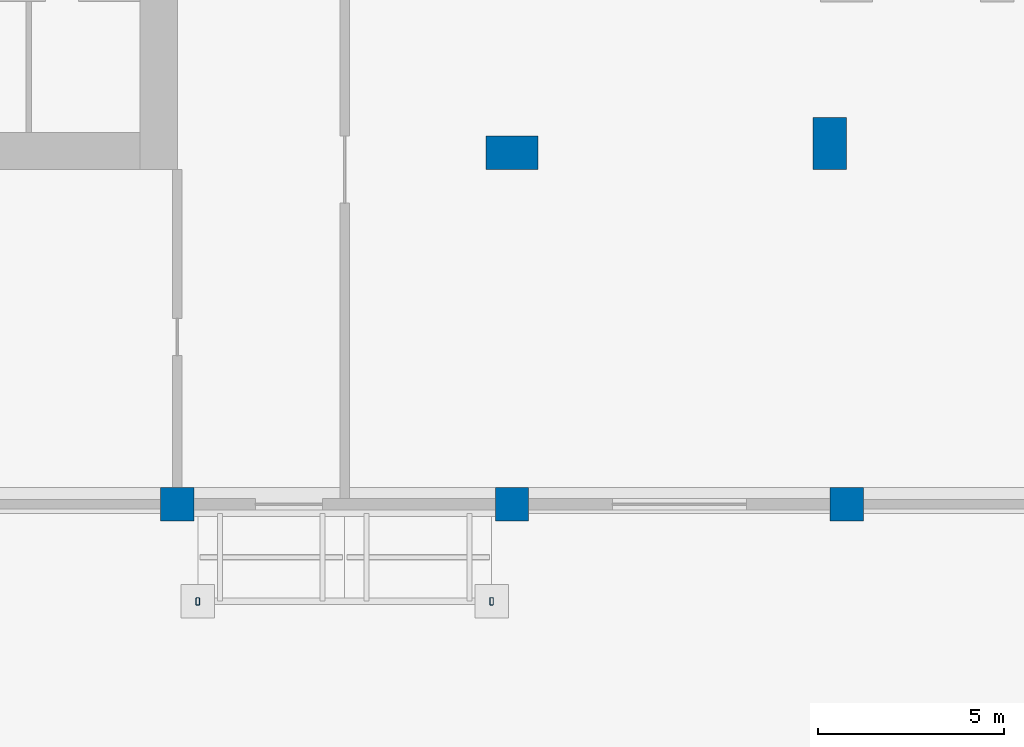
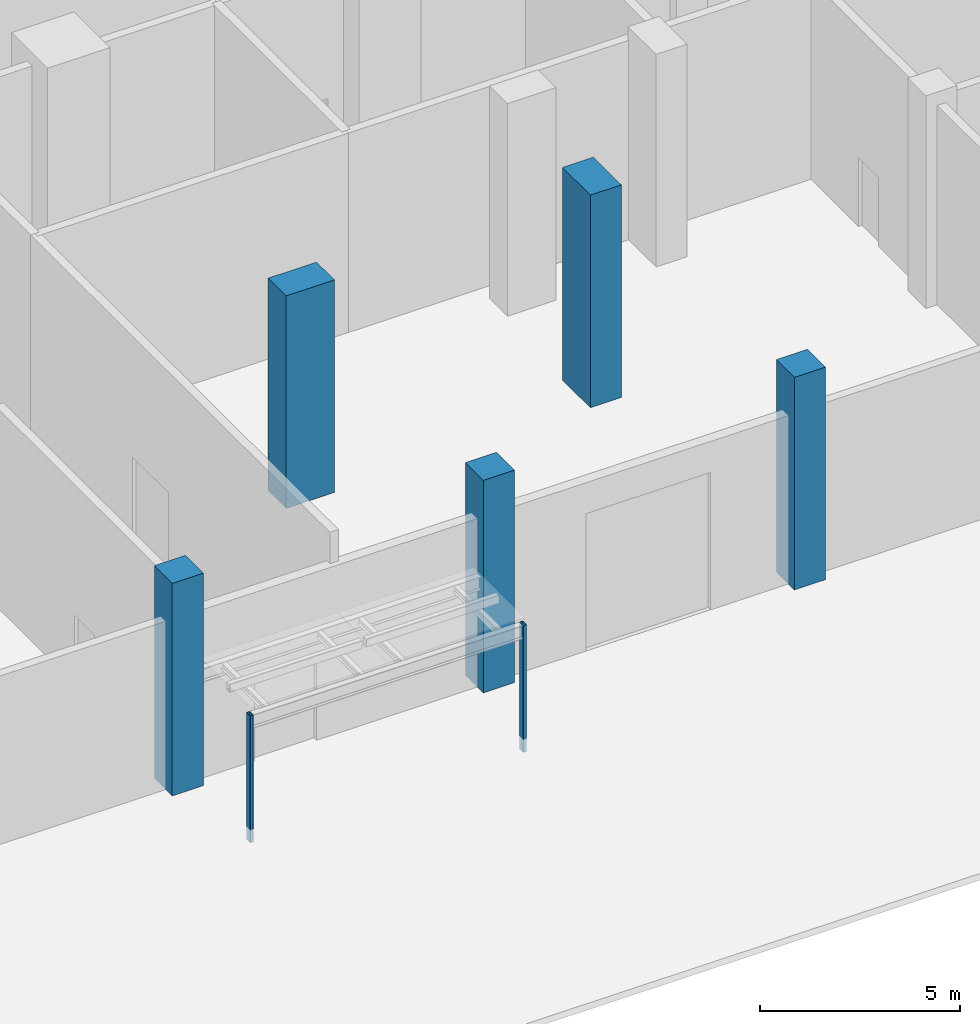
# One storey, part 10 of 39: 7 columns.
"""IFC4 building model written with IfcOpenShell, lengths in metres."""

from ifc_helpers import new_model, si_unit, direction, frame, origin, origin_2d, place, context, subcontext, project, spatial, rectangle, hollow_rectangle, extrude, material, material_profile, profile_set, type_object, element, save


model = new_model("IFC4")

# Units and contexts
model_context = context("Model", 3, precision=1e-05, world=origin(), true_north=direction((0.0, 1.0)))
body_context = subcontext(model_context, "Body", "Model", "MODEL_VIEW")
ifc_project = project(units=[si_unit("LENGTHUNIT", "METRE"), si_unit("AREAUNIT", "SQUARE_METRE"), si_unit("VOLUMEUNIT", "CUBIC_METRE"), si_unit("PLANEANGLEUNIT", "RADIAN"), si_unit("MASSUNIT", "GRAM", prefix="KILO")], contexts=[model_context])

# Site, building, storey
site_placement = place(None, origin())
site = spatial("IfcSite", under=ifc_project, at=site_placement, CompositionType="ELEMENT")
building_placement = place(site_placement, origin())
building = spatial("IfcBuilding", under=site, at=building_placement, Name="Brigalow Station Residences", CompositionType="ELEMENT")
storey_placement = place(building_placement, origin())
storey = spatial("IfcBuildingStorey", under=building, at=storey_placement, Name="L00", CompositionType="ELEMENT", Elevation=0.0)

# Columns
ifc_material_1 = material(Name="Steel Grade C450L0 to AS/NZS 1163", Category="steel")
ifc_material_profile_1 = material_profile(ifc_material_1, hollow_rectangle(XDim=0.10009765625, YDim=0.199951171875, WallThickness=0.009033203125, InnerFilletRadius=0.013427734375, OuterFilletRadius=0.0224609375, at=origin_2d()), Name="200x100x9.0RHS")
ifc_profile_set_1 = profile_set([ifc_material_profile_1], Name="Steel Grade C450L0 to AS/NZS 1163")
column_type_1 = type_object("IfcColumnType", Name="CANOPY POST 200x100x9.0RHS", PredefinedType="COLUMN", material=ifc_profile_set_1)
for number, where, z_axis, x_axis, name in (
    (1, (54.550048828125, -11.611083984375, -0.39990234375), (0.0, 0.0, 1.0), (1.0, 0.0, 0.0), "L00/canopy-post/S-svc-1"),
    (2, (62.449951171875, -11.611083984375, -0.39990234375), (0.0, 0.0, 1.0), (1.0, 0.0, 0.0), "L00/canopy-post/S-svc-2"),
):
    element("IfcColumn", number, at=place(storey_placement, frame(where, z_axis=z_axis, x_axis=x_axis)), inside=storey, type_object=column_type_1, Name=name, PredefinedType="COLUMN", context=body_context, shape_type="SweptSolid", body=[
        extrude(hollow_rectangle(XDim=0.10009765625, YDim=0.199951171875, WallThickness=0.009033203125, InnerFilletRadius=0.013427734375, OuterFilletRadius=0.0224609375, at=origin_2d()), origin(), (0.0, 0.0, 1.0), 3.8779296875),
    ])
ifc_material_2 = material(Name="Concrete C50", Category="concrete")
ifc_material_profile_2 = material_profile(ifc_material_2, rectangle(XDim=0.89990234375, YDim=0.89990234375, at=origin_2d()), Name="RC900x900")
ifc_profile_set_2 = profile_set([ifc_material_profile_2], Name="Concrete C50")
column_type_2 = type_object("IfcColumnType", Name="COLUMN 900x900 C50", PredefinedType="COLUMN", material=ifc_profile_set_2)
for number, where, z_axis, x_axis, name in (
    (3, (54.0, -9.0, 0.0), (0.0, 0.0, 1.0), (1.0, 0.0, 0.0), "COLUMN Z6 L00"),
    (4, (63.0, -9.0, 0.0), (0.0, 0.0, 1.0), (1.0, 0.0, 0.0), "COLUMN Z7 L00"),
    (5, (72.0, -9.0, 0.0), (0.0, 0.0, 1.0), (1.0, 0.0, 0.0), "COLUMN Z8 L00"),
):
    element("IfcColumn", number, at=place(storey_placement, frame(where, z_axis=z_axis, x_axis=x_axis)), inside=storey, type_object=column_type_2, Name=name, PredefinedType="COLUMN", context=body_context, shape_type="SweptSolid", body=[
        extrude(rectangle(XDim=0.89990234375, YDim=0.89990234375, at=origin_2d()), origin(), (0.0, 0.0, 1.0), 6.5),
    ])
ifc_material_3 = material(Name="Concrete C80", Category="concrete")
ifc_material_profile_3 = material_profile(ifc_material_3, rectangle(XDim=1.39990234375, YDim=0.89990234375, at=origin_2d()), Name="RC1400x900")
ifc_profile_set_3 = profile_set([ifc_material_profile_3], Name="Concrete C80")
column_type_3 = type_object("IfcColumnType", Name="PIER 1400x900 C80", PredefinedType="USERDEFINED", material=ifc_profile_set_3)
for number, where, z_axis, x_axis, name in (
    (6, (63.0, 0.449951171875, 0.0), (0.0, 0.0, 1.0), (1.0, 0.0, 0.0), "PIER S-14 L00"),
    (7, (71.550048828125, 0.699951171875, 0.0), (0.0, 0.0, 1.0), (0.0, 1.0, 0.0), "PIER SE1-1 L00"),
):
    element("IfcColumn", number, at=place(storey_placement, frame(where, z_axis=z_axis, x_axis=x_axis)), inside=storey, type_object=column_type_3, Name=name, ObjectType="PIER", PredefinedType="USERDEFINED", context=body_context, shape_type="SweptSolid", body=[
        extrude(rectangle(XDim=1.39990234375, YDim=0.89990234375, at=origin_2d()), origin(), (0.0, 0.0, 1.0), 6.5),
    ])

save(model, "model.ifc")
